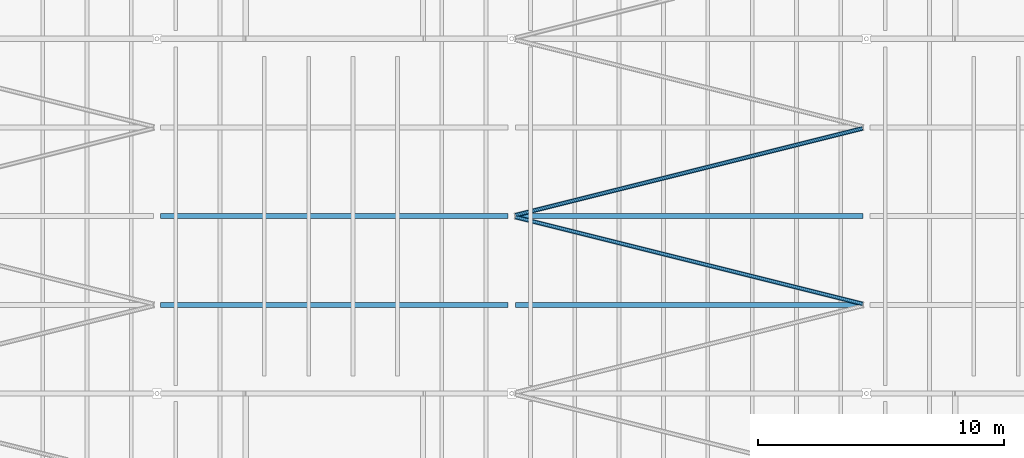
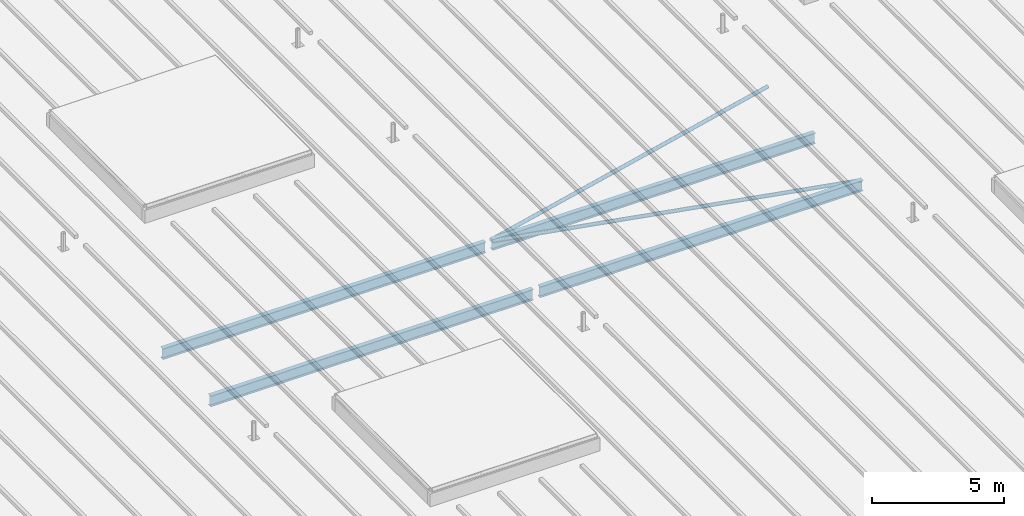
# One storey, part 17 of 120: 4 beams, 2 members.
"""IFC4 building model written with IfcOpenShell, lengths in metres."""

import ifcopenshell
import ifcopenshell.guid

model = None  # the IFC model being written
_history = None  # IfcOwnerHistory: only IFC2X3 demands one
_inside = {}  # id of a spatial element -> (the spatial element, [elements in it])
_under = {}  # id of a project, library or spatial element -> (it, [spatial elements below it])
_declared = {}  # id of a project -> (the project, [libraries it declares])
_typed = {}  # id of a type object -> (the type object, [elements of that type])
_made_of = {}  # id of a material, layer set ... -> (it, [elements and type objects made of it])


def new_model(schema):
    """Start an empty IFC model of exactly this schema.

    Asked for "IFC4X3", IfcOpenShell would pick the latest addendum, in which some entities
    have other attributes; the version numbers below select the first issue.
    IFC2X3 requires an IfcOwnerHistory on every rooted entity: one is made here for all.
    """
    global model, _history
    if schema == "IFC4X3":
        model = ifcopenshell.file(schema_version=(4, 3, 0, 0))
    else:
        model = ifcopenshell.file(schema=schema)
    _inside.clear()
    _under.clear()
    _declared.clear()
    _typed.clear()
    _made_of.clear()
    _history = None
    if model.schema == "IFC2X3":
        org = make("IfcOrganization", Name="unknown")
        user = make(
            "IfcPersonAndOrganization",
            ThePerson=make("IfcPerson", FamilyName="unknown"),
            TheOrganization=org,
        )
        app = make(
            "IfcApplication",
            ApplicationDeveloper=org,
            Version="unknown",
            ApplicationFullName="unknown",
            ApplicationIdentifier="unknown",
        )
        _history = make(
            "IfcOwnerHistory",
            OwningUser=user,
            OwningApplication=app,
            ChangeAction="ADDED",
            CreationDate=0,
        )
    return model


def make(cls, **values):
    """One entity of the class cls with the attributes given. An attribute that is None is left unset."""
    return model.create_entity(
        cls, **{name: value for name, value in values.items() if value is not None}
    )


def rooted(cls, **values):
    """An entity with a GlobalId (a new one), such as an element, a storey or a relation."""
    return make(cls, GlobalId=ifcopenshell.guid.new(), OwnerHistory=_history, **values)


def si_unit(unit_type, name, prefix=None):
    """IfcSIUnit, for example si_unit("LENGTHUNIT", "METRE", prefix="MILLI")."""
    return make("IfcSIUnit", UnitType=unit_type, Prefix=prefix, Name=name)


def assignment(units):
    """IfcUnitAssignment: the units of a project."""
    return None if units is None else make("IfcUnitAssignment", Units=units)


def point(xyz):
    """IfcCartesianPoint."""
    return None if xyz is None else make("IfcCartesianPoint", Coordinates=xyz)


def direction(xyz):
    """IfcDirection."""
    return None if xyz is None else make("IfcDirection", DirectionRatios=xyz)


def frame(location, z_axis=None, x_axis=None):
    """IfcAxis2Placement3D, a coordinate frame: its origin and axes. An axis left out is left unset."""
    return make(
        "IfcAxis2Placement3D",
        Location=point(location),
        Axis=direction(z_axis),
        RefDirection=direction(x_axis),
    )


def frame_2d(location, x_axis=None):
    """IfcAxis2Placement2D, a coordinate frame in the plane: its origin and x axis."""
    return make(
        "IfcAxis2Placement2D", Location=point(location), RefDirection=direction(x_axis)
    )


def origin():
    """The frame at (0, 0, 0) with its axes left unset."""
    return frame((0.0, 0.0, 0.0))


def origin_2d():
    """The frame at (0, 0) in the plane with its x axis left unset."""
    return frame_2d((0.0, 0.0))


def place(relative_to, where):
    """IfcLocalPlacement: puts the frame where relative to a parent placement (None: the world)."""
    return make(
        "IfcLocalPlacement", PlacementRelTo=relative_to, RelativePlacement=where
    )


def context(
    kind, dimensions, precision=None, world=None, true_north=None, identifier=None
):
    """IfcGeometricRepresentationContext, for example the 3D "Model" context."""
    return make(
        "IfcGeometricRepresentationContext",
        ContextIdentifier=identifier,
        ContextType=kind,
        CoordinateSpaceDimension=dimensions,
        Precision=precision,
        WorldCoordinateSystem=world,
        TrueNorth=true_north,
    )


def subcontext(parent, identifier, kind, view, scale=None):
    """IfcGeometricRepresentationSubContext, for example "Body" below "Model"."""
    return make(
        "IfcGeometricRepresentationSubContext",
        ContextIdentifier=identifier,
        ContextType=kind,
        ParentContext=parent,
        TargetScale=scale,
        TargetView=view,
    )


def project(units=None, contexts=None):
    """IfcProject with its units and contexts."""
    return rooted(
        "IfcProject",
        Name="project",
        RepresentationContexts=contexts,
        UnitsInContext=assignment(units),
    )


def spatial(cls, under=None, at=None, **own):
    """A site, building, storey or space (cls), placed at a placement, below another one or the project."""
    s = rooted(cls, ObjectPlacement=at, **own)
    if under is not None:
        _under.setdefault(under.id(), (under, []))[1].append(s)
    return s


def profile(cls, at=None, kind="AREA", **sizes):
    """A parametric profile (cls). Its sizes go by their IFC names, for example OverallWidth=200.0."""
    return make(cls, ProfileType=kind, Position=at, **sizes)


def hollow_circle(**sizes):
    """IfcCircleHollowProfileDef."""
    return profile("IfcCircleHollowProfileDef", **sizes)


def i_section(**sizes):
    """IfcIShapeProfileDef."""
    return profile("IfcIShapeProfileDef", **sizes)


def extrude(swept, where, along, depth):
    """IfcExtrudedAreaSolid: the profile swept, set in the frame where, extruded along a direction by depth."""
    return make(
        "IfcExtrudedAreaSolid",
        SweptArea=swept,
        Position=where,
        ExtrudedDirection=direction(along),
        Depth=depth,
    )


def shape(context_of_items, identifier, shape_type, items):
    """IfcShapeRepresentation: the items that make up one representation, for example the "Body"."""
    return make(
        "IfcShapeRepresentation",
        ContextOfItems=context_of_items,
        RepresentationIdentifier=identifier,
        RepresentationType=shape_type,
        Items=items,
    )


def material(Name=None, Category=None):
    """IfcMaterial."""
    return make("IfcMaterial", Name=Name, Category=Category)


def material_profile(
    of_material, cross_section, Name=None, Category=None, Priority=None
):
    """IfcMaterialProfile: a cross section and its material."""
    return make(
        "IfcMaterialProfile",
        Name=Name,
        Material=of_material,
        Profile=cross_section,
        Priority=Priority,
        Category=Category,
    )


def profile_set(profiles, Name=None, composite=None):
    """IfcMaterialProfileSet."""
    return make(
        "IfcMaterialProfileSet",
        Name=Name,
        MaterialProfiles=profiles,
        CompositeProfile=composite,
    )


def made_of(thing, what):
    """Note that an element or type object is made of a material, layer set ...; save() writes the relation."""
    if what is not None:
        _made_of.setdefault(what.id(), (what, []))[1].append(thing)
    return thing


def type_object(cls, material=None, **own):
    """A type object (cls), such as IfcWallType, which elements share."""
    return made_of(rooted(cls, **own), material)


def element(
    cls,
    number,
    at=None,
    inside=None,
    cuts=None,
    type_object=None,
    material=None,
    context=None,
    identifier="Body",
    shape_type=None,
    held_by="IfcProductDefinitionShape",
    body=None,
    shapes=None,
    **own,
):
    """One element of the class cls, such as IfcWall. Its Tag is "e" and its number.

    at: its placement. inside: the storey or other place that contains it. cuts: it is an
    opening in that element (IfcRelVoidsElement). A single representation is given by context,
    identifier, shape_type and body (its items); several are given by shapes. held_by: the class
    of the entity that holds the representations. save() writes the other relations.
    """
    e = rooted(cls, Tag="e%d" % number, ObjectPlacement=at, **own)
    if body is not None:
        shapes = [shape(context, identifier, shape_type, body)]
    if shapes is not None:
        e.Representation = make(held_by, Representations=shapes)
    if inside is not None:
        _inside.setdefault(inside.id(), (inside, []))[1].append(e)
    if cuts is not None:
        rooted(
            "IfcRelVoidsElement", RelatingBuildingElement=cuts, RelatedOpeningElement=e
        )
    if type_object is not None:
        _typed.setdefault(type_object.id(), (type_object, []))[1].append(e)
    return made_of(e, material)


def aggregate(whole, parts):
    """IfcRelAggregates: a whole, such as a stair, and the parts it consists of."""
    return rooted("IfcRelAggregates", RelatingObject=whole, RelatedObjects=parts)


def save(model, path):
    """Write the relations noted so far, then the file.

    IfcRelAggregates (storeys below a building ...), IfcRelContainedInSpatialStructure (elements
    in a storey), IfcRelDefinesByType, IfcRelAssociatesMaterial and IfcRelDeclares: one each for
    every whole, place, type object, material and project.
    """
    for whole, parts in _under.values():
        aggregate(whole, parts)
    for where, things in _inside.values():
        rooted(
            "IfcRelContainedInSpatialStructure",
            RelatedElements=things,
            RelatingStructure=where,
        )
    for kind, things in _typed.values():
        rooted("IfcRelDefinesByType", RelatedObjects=things, RelatingType=kind)
    for what, things in _made_of.values():
        rooted("IfcRelAssociatesMaterial", RelatedObjects=things, RelatingMaterial=what)
    for by, libraries in _declared.values():
        rooted("IfcRelDeclares", RelatingContext=by, RelatedDefinitions=libraries)
    model.write(path)


model = new_model("IFC4")

# Units and contexts
model_context = context("Model", 3, precision=1e-05, world=origin(), true_north=direction((0.0, 1.0)))
body_context = subcontext(model_context, "Body", "Model", "MODEL_VIEW")
ifc_project = project(units=[si_unit("LENGTHUNIT", "METRE"), si_unit("AREAUNIT", "SQUARE_METRE"), si_unit("VOLUMEUNIT", "CUBIC_METRE"), si_unit("PLANEANGLEUNIT", "RADIAN"), si_unit("MASSUNIT", "GRAM", prefix="KILO")], contexts=[model_context])

# Site, building, storey
site_placement = place(None, origin())
site = spatial("IfcSite", under=ifc_project, at=site_placement, CompositionType="ELEMENT")
building_placement = place(site_placement, origin())
building = spatial("IfcBuilding", under=site, at=building_placement, Name="Kupolbacken Congress Centre", CompositionType="ELEMENT")
storey_placement = place(building_placement, frame((0.0, 0.0, 21.60009765625)))
storey = spatial("IfcBuildingStorey", under=building, at=storey_placement, Name="L06", CompositionType="ELEMENT", Elevation=21.60009765625)

# Beams
ifc_material_1 = material(Name="Steel S355", Category="steel")
ifc_material_profile_1 = material_profile(ifc_material_1, i_section(OverallWidth=0.199951171875, OverallDepth=0.5, WebThickness=0.01025390625, FlangeThickness=0.01611328125, FilletRadius=0.02099609375, at=origin_2d()), Name="IPE 500")
ifc_profile_set_1 = profile_set([ifc_material_profile_1], Name="Steel S355")
beam_type = type_object("IfcBeamType", Name="B09 beam IPE 500", PredefinedType="BEAM", material=ifc_profile_set_1)
beam_1_placement = place(storey_placement, frame((108.14501953125, 64.800048828125, -0.25), z_axis=(1.0, 0.0, 0.0), x_axis=(0.0, 1.0, 0.0)))
element("IfcBeam", 1, at=beam_1_placement, inside=storey, type_object=beam_type, Name="HR/P06-02", PredefinedType="BEAM", context=body_context, shape_type="SweptSolid", body=[
    extrude(i_section(OverallWidth=0.199951171875, OverallDepth=0.5, WebThickness=0.01025390625, FlangeThickness=0.01611328125, FilletRadius=0.02099609375, at=origin_2d()), origin(), (0.0, 0.0, 1.0), 14.10986328125),
])
beam_2_placement = place(storey_placement, frame((122.544921875, 64.800048828125, -0.25), z_axis=(1.0, 0.0, 0.0), x_axis=(0.0, 1.0, 0.0)))
element("IfcBeam", 2, at=beam_2_placement, inside=storey, type_object=beam_type, Name="HR/P06-03", PredefinedType="BEAM", context=body_context, shape_type="SweptSolid", body=[
    extrude(i_section(OverallWidth=0.199951171875, OverallDepth=0.5, WebThickness=0.01025390625, FlangeThickness=0.01611328125, FilletRadius=0.02099609375, at=origin_2d()), origin(), (0.0, 0.0, 1.0), 14.110107421875),
])
beam_3_placement = place(storey_placement, frame((108.14501953125, 68.39990234375, -0.25), z_axis=(1.0, 0.0, 0.0), x_axis=(0.0, 1.0, 0.0)))
element("IfcBeam", 3, at=beam_3_placement, inside=storey, type_object=beam_type, Name="HR/P07-02", PredefinedType="BEAM", context=body_context, shape_type="SweptSolid", body=[
    extrude(i_section(OverallWidth=0.199951171875, OverallDepth=0.5, WebThickness=0.01025390625, FlangeThickness=0.01611328125, FilletRadius=0.02099609375, at=origin_2d()), origin(), (0.0, 0.0, 1.0), 14.10986328125),
])
beam_4_placement = place(storey_placement, frame((122.544921875, 68.39990234375, -0.25), z_axis=(1.0, 0.0, 0.0), x_axis=(0.0, 1.0, 0.0)))
element("IfcBeam", 4, at=beam_4_placement, inside=storey, type_object=beam_type, Name="HR/P07-03", PredefinedType="BEAM", context=body_context, shape_type="SweptSolid", body=[
    extrude(i_section(OverallWidth=0.199951171875, OverallDepth=0.5, WebThickness=0.01025390625, FlangeThickness=0.01611328125, FilletRadius=0.02099609375, at=origin_2d()), origin(), (0.0, 0.0, 1.0), 14.110107421875),
])

# Members
ifc_material_2 = material(Name="Steel S355", Category="steel")
ifc_material_profile_2 = material_profile(ifc_material_2, hollow_circle(Radius=0.084228515625, WallThickness=0.008056640625, at=origin_2d()), Name="CHS 168.3 x 8")
ifc_profile_set_2 = profile_set([ifc_material_profile_2], Name="Steel S355")
member_type = type_object("IfcMemberType", Name="M21 brace CHS 168.3 x 8", PredefinedType="BRACE", material=ifc_profile_set_2)
for number, where, z_axis, x_axis, name in (
    (5, (136.659423828125, 64.835205078125, -0.084228515625), (-0.970144473737, 0.242527730535, 0.0), (-0.242527730535, -0.970144473737, 0.0), "HR/RB/03-06"),
    (6, (122.540771484375, 68.43505859375, -0.084228515625), (0.970140526498, 0.24254351949, 0.0), (-0.24254351949, 0.970140526498, 0.0), "HR/RB/03-07"),
):
    element("IfcMember", number, at=place(storey_placement, frame(where, z_axis=z_axis, x_axis=x_axis)), inside=storey, type_object=member_type, Name=name, PredefinedType="BRACE", context=body_context, shape_type="SweptSolid", body=[
        extrude(hollow_circle(Radius=0.084228515625, WallThickness=0.008056640625, at=origin_2d()), origin(), (0.0, 0.0, 1.0), 14.55322265625),
    ])

save(model, "model.ifc")
